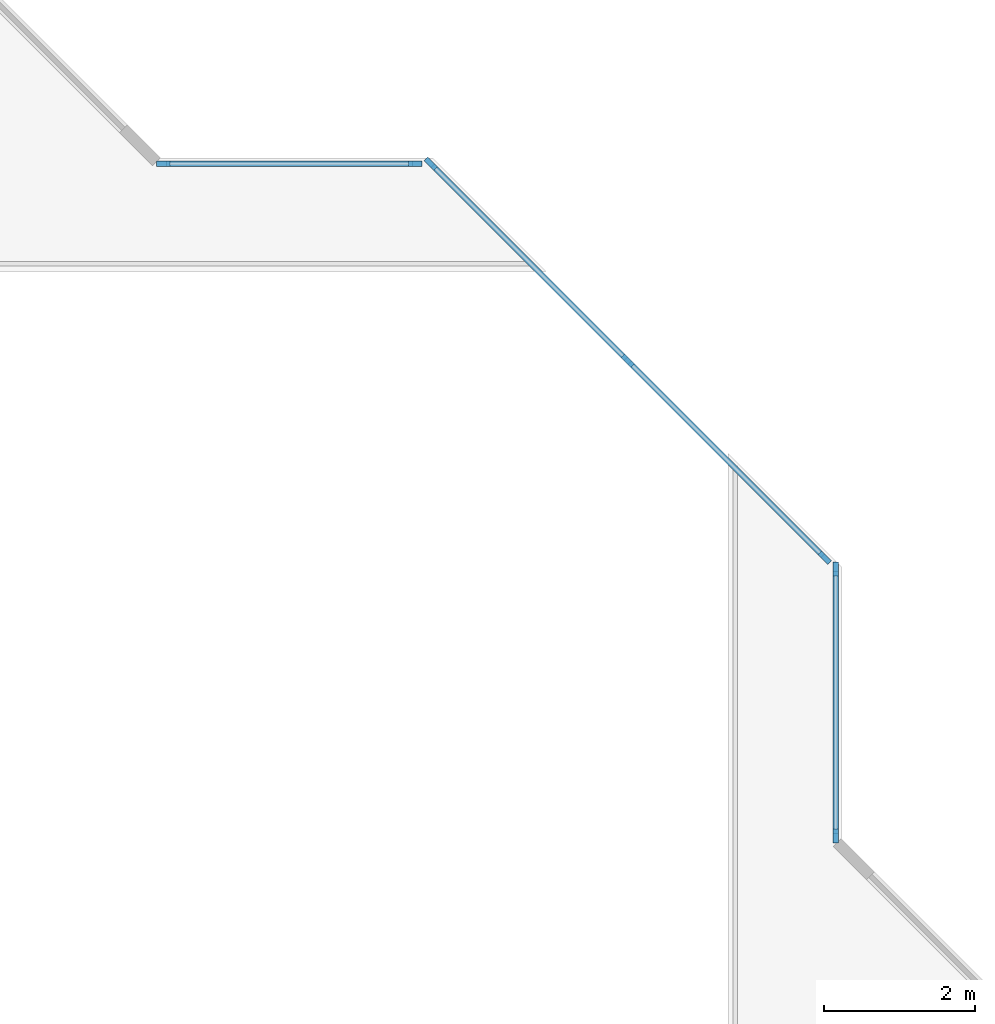
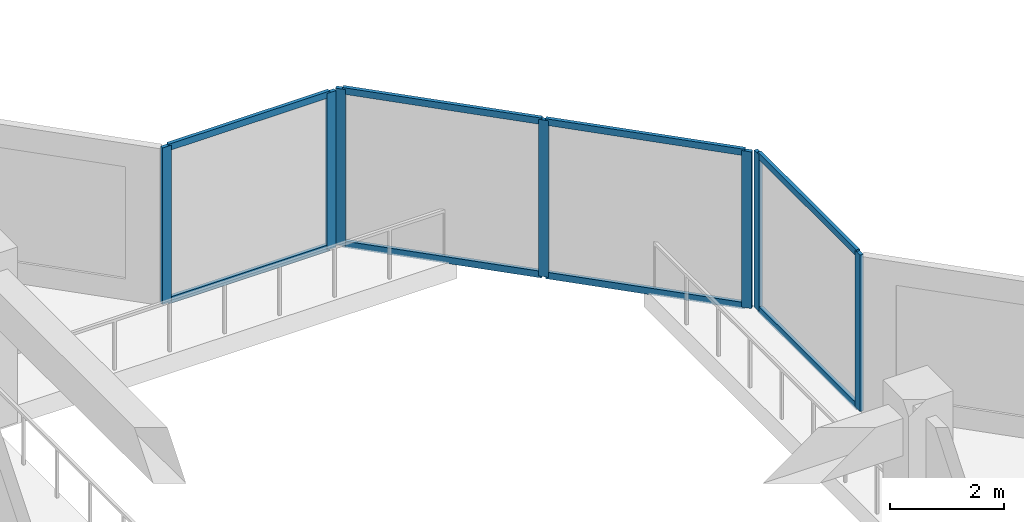
# One storey, part 2 of 15: 15 members, 3 elements without a shape of their own.
"""IFC4 building model written with IfcOpenShell, lengths in metres."""

from ifc_helpers import new_model, si_unit, direction, frame, origin, origin_2d, place, context, subcontext, project, spatial, rectangle, extrude, material, layer, layer_set, material_profile, profile_set, type_object, element, aggregate, save


model = new_model("IFC4")

# Units and contexts
model_context = context("Model", 3, precision=1e-05, world=origin(), true_north=direction((0.0, 1.0)))
body_context = subcontext(model_context, "Body", "Model", "MODEL_VIEW")
ifc_project = project(units=[si_unit("LENGTHUNIT", "METRE"), si_unit("AREAUNIT", "SQUARE_METRE"), si_unit("VOLUMEUNIT", "CUBIC_METRE"), si_unit("PLANEANGLEUNIT", "RADIAN"), si_unit("MASSUNIT", "GRAM", prefix="KILO")], contexts=[model_context])

# Site, building, storey
site_placement = place(None, origin())
site = spatial("IfcSite", under=ifc_project, at=site_placement, CompositionType="ELEMENT")
building_placement = place(site_placement, origin())
building = spatial("IfcBuilding", under=site, at=building_placement, Name="Chenar Terraces", CompositionType="ELEMENT")
storey_placement = place(building_placement, frame((0.0, 0.0, 198.64990234375)))
storey = spatial("IfcBuildingStorey", under=building, at=storey_placement, Name="L46", CompositionType="ELEMENT", Elevation=198.64990234375)

# Curtain wall, members
ifc_material_1 = material(Name="Aluminium framed glazing", Category="aluminium")
ifc_layer = layer(ifc_material_1, 0.14990234375)
ifc_layer_set = layer_set([ifc_layer], Name="Aluminium framed glazing")
curtain_wall_type = type_object("IfcCurtainWallType", Name="Atrium mid-zone curtain wall", PredefinedType="NOTDEFINED", material=ifc_layer_set)
placement = place(storey_placement, origin())
curtain_wall_1 = element("IfcCurtainWall", 1, at=placement, inside=storey, type_object=curtain_wall_type, Name="Atrium mid-zone curtain wall", PredefinedType="NOTDEFINED")
ifc_material_2 = material(Name="Aluminium", Category="aluminium")
ifc_material_profile_1 = material_profile(ifc_material_2, rectangle(XDim=0.070068359375, YDim=0.179931640625, at=origin_2d()), Name="Atrium mid-zone glazing mullion 70 x 180")
ifc_profile_set_1 = profile_set([ifc_material_profile_1], Name="Aluminium")
member_type_1 = type_object("IfcMemberType", Name="Atrium mid-zone glazing mullion 70 x 180", PredefinedType="MULLION", material=ifc_profile_set_1)
member_1_placement = place(storey_placement, frame((37.425048828125, 28.534912109375, 0.0), z_axis=(0.0, 0.0, 1.0), x_axis=(-1.0, 0.0, 0.0)))
member_1 = element("IfcMember", 2, at=member_1_placement, type_object=member_type_1, Name="CW7-1 mullion 1", PredefinedType="MULLION", context=body_context, shape_type="SweptSolid", body=[
    extrude(rectangle(XDim=0.070068359375, YDim=0.179931640625, at=origin_2d()), origin(), (0.0, 0.0, 1.0), 3.35009765625),
])
member_2_placement = place(storey_placement, frame((37.425048828125, 32.06494140625, 0.0), z_axis=(0.0, 0.0, 1.0), x_axis=(-1.0, 0.0, 0.0)))
member_2 = element("IfcMember", 3, at=member_2_placement, type_object=member_type_1, Name="CW7-1 mullion 2", PredefinedType="MULLION", context=body_context, shape_type="SweptSolid", body=[
    extrude(rectangle(XDim=0.070068359375, YDim=0.179931640625, at=origin_2d()), origin(), (0.0, 0.0, 1.0), 3.35009765625),
])

curtain_wall_2 = element("IfcCurtainWall", 4, at=placement, inside=storey, type_object=curtain_wall_type, Name="Atrium mid-zone curtain wall", PredefinedType="NOTDEFINED")
member_3_placement = place(storey_placement, frame((37.28076171875, 32.213134765625, 0.0), z_axis=(0.0, 0.0, 1.0), x_axis=(-0.707106781187, -0.707106781187, 0.0)))
member_3 = element("IfcMember", 5, at=member_3_placement, type_object=member_type_1, Name="CW7-2 mullion 1", PredefinedType="MULLION", context=body_context, shape_type="SweptSolid", body=[
    extrude(rectangle(XDim=0.070068359375, YDim=0.179931640625, at=origin_2d()), origin(), (0.0, 0.0, 1.0), 3.35009765625),
])
member_4_placement = place(storey_placement, frame((34.67626953125, 34.817626953125, 0.0), z_axis=(0.0, 0.0, 1.0), x_axis=(-0.707106781187, -0.707106781187, 0.0)))
member_4 = element("IfcMember", 6, at=member_4_placement, type_object=member_type_1, Name="CW7-2 mullion 2", PredefinedType="MULLION", context=body_context, shape_type="SweptSolid", body=[
    extrude(rectangle(XDim=0.070068359375, YDim=0.179931640625, at=origin_2d()), origin(), (0.0, 0.0, 1.0), 3.35009765625),
])
member_5_placement = place(storey_placement, frame((32.07177734375, 37.42236328125, 0.0), z_axis=(0.0, 0.0, 1.0), x_axis=(-0.707106781187, -0.707106781187, 0.0)))
member_5 = element("IfcMember", 7, at=member_5_placement, type_object=member_type_1, Name="CW7-2 mullion 3", PredefinedType="MULLION", context=body_context, shape_type="SweptSolid", body=[
    extrude(rectangle(XDim=0.070068359375, YDim=0.179931640625, at=origin_2d()), origin(), (0.0, 0.0, 1.0), 3.35009765625),
])

curtain_wall_3 = element("IfcCurtainWall", 8, at=placement, inside=storey, type_object=curtain_wall_type, Name="Atrium mid-zone curtain wall", PredefinedType="NOTDEFINED")
member_6_placement = place(storey_placement, frame((31.864990234375, 37.425048828125, 0.0), z_axis=(0.0, 0.0, 1.0), x_axis=(0.0, -1.0, 0.0)))
member_6 = element("IfcMember", 9, at=member_6_placement, type_object=member_type_1, Name="CW7-3 mullion 1", PredefinedType="MULLION", context=body_context, shape_type="SweptSolid", body=[
    extrude(rectangle(XDim=0.070068359375, YDim=0.179931640625, at=origin_2d()), origin(), (0.0, 0.0, 1.0), 3.35009765625),
])
member_7_placement = place(storey_placement, frame((28.534912109375, 37.425048828125, 0.0), z_axis=(0.0, 0.0, 1.0), x_axis=(0.0, -1.0, 0.0)))
member_7 = element("IfcMember", 10, at=member_7_placement, type_object=member_type_1, Name="CW7-3 mullion 2", PredefinedType="MULLION", context=body_context, shape_type="SweptSolid", body=[
    extrude(rectangle(XDim=0.070068359375, YDim=0.179931640625, at=origin_2d()), origin(), (0.0, 0.0, 1.0), 3.35009765625),
])

# Member
ifc_material_3 = material(Name="Aluminium", Category="aluminium")
ifc_material_profile_2 = material_profile(ifc_material_3, rectangle(XDim=0.070068359375, YDim=0.139892578125, at=origin_2d()), Name="Atrium mid-zone glazing transom 70 x 140")
ifc_profile_set_2 = profile_set([ifc_material_profile_2], Name="Aluminium")
member_type_2 = type_object("IfcMemberType", Name="Atrium mid-zone glazing transom 70 x 140", PredefinedType="USERDEFINED", material=ifc_profile_set_2)
member_8_placement = place(storey_placement, frame((37.425048828125, 28.570068359375, 0.03515625), z_axis=(0.0, 1.0, 0.0), x_axis=(-1.0, 0.0, 0.0)))
member_8 = element("IfcMember", 11, at=member_8_placement, type_object=member_type_2, Name="CW7-1 transom 1.1", ObjectType="TRANSOM", PredefinedType="USERDEFINED", context=body_context, shape_type="SweptSolid", body=[
    extrude(rectangle(XDim=0.070068359375, YDim=0.139892578125, at=origin_2d()), origin(), (0.0, 0.0, 1.0), 3.4599609375),
])

member_9_placement = place(storey_placement, frame((37.425048828125, 28.570068359375, 3.315185546875), z_axis=(0.0, 1.0, 0.0), x_axis=(-1.0, 0.0, 0.0)))
member_9 = element("IfcMember", 12, at=member_9_placement, type_object=member_type_2, Name="CW7-1 transom 1.2", ObjectType="TRANSOM", PredefinedType="USERDEFINED", context=body_context, shape_type="SweptSolid", body=[
    extrude(rectangle(XDim=0.070068359375, YDim=0.139892578125, at=origin_2d()), origin(), (0.0, 0.0, 1.0), 3.4599609375),
])

aggregate(curtain_wall_1, [member_1, member_2, member_8, member_9])

member_10_placement = place(storey_placement, frame((37.256103515625, 32.23779296875, 0.03515625), z_axis=(-0.707106781187, 0.707106781187, 0.0), x_axis=(-0.707106781187, -0.707106781187, 0.0)))
member_10 = element("IfcMember", 13, at=member_10_placement, type_object=member_type_2, Name="CW7-2 transom 1.1", ObjectType="TRANSOM", PredefinedType="USERDEFINED", context=body_context, shape_type="SweptSolid", body=[
    extrude(rectangle(XDim=0.070068359375, YDim=0.139892578125, at=origin_2d()), origin(), (0.0, 0.0, 1.0), 3.613525390625),
])

member_11_placement = place(storey_placement, frame((37.256103515625, 32.23779296875, 3.315185546875), z_axis=(-0.707106781187, 0.707106781187, 0.0), x_axis=(-0.707106781187, -0.707106781187, 0.0)))
member_11 = element("IfcMember", 14, at=member_11_placement, type_object=member_type_2, Name="CW7-2 transom 1.2", ObjectType="TRANSOM", PredefinedType="USERDEFINED", context=body_context, shape_type="SweptSolid", body=[
    extrude(rectangle(XDim=0.070068359375, YDim=0.139892578125, at=origin_2d()), origin(), (0.0, 0.0, 1.0), 3.613525390625),
])

member_12_placement = place(storey_placement, frame((34.651611328125, 34.842529296875, 0.03515625), z_axis=(-0.707140563131, 0.707072997628, 0.0), x_axis=(-0.707072997628, -0.707140563131, 0.0)))
member_12 = element("IfcMember", 15, at=member_12_placement, type_object=member_type_2, Name="CW7-2 transom 2.1", ObjectType="TRANSOM", PredefinedType="USERDEFINED", context=body_context, shape_type="SweptSolid", body=[
    extrude(rectangle(XDim=0.070068359375, YDim=0.139892578125, at=origin_2d()), origin(), (0.0, 0.0, 1.0), 3.61328125),
])

member_13_placement = place(storey_placement, frame((34.651611328125, 34.842529296875, 3.315185546875), z_axis=(-0.707140563131, 0.707072997628, 0.0), x_axis=(-0.707072997628, -0.707140563131, 0.0)))
member_13 = element("IfcMember", 16, at=member_13_placement, type_object=member_type_2, Name="CW7-2 transom 2.2", ObjectType="TRANSOM", PredefinedType="USERDEFINED", context=body_context, shape_type="SweptSolid", body=[
    extrude(rectangle(XDim=0.070068359375, YDim=0.139892578125, at=origin_2d()), origin(), (0.0, 0.0, 1.0), 3.61328125),
])

aggregate(curtain_wall_2, [member_3, member_4, member_5, member_10, member_11, member_12, member_13])

member_14_placement = place(storey_placement, frame((31.830078125, 37.425048828125, 0.03515625), z_axis=(-1.0, 0.0, 0.0), x_axis=(0.0, -1.0, 0.0)))
member_14 = element("IfcMember", 17, at=member_14_placement, type_object=member_type_2, Name="CW7-3 transom 1.1", ObjectType="TRANSOM", PredefinedType="USERDEFINED", context=body_context, shape_type="SweptSolid", body=[
    extrude(rectangle(XDim=0.070068359375, YDim=0.139892578125, at=origin_2d()), origin(), (0.0, 0.0, 1.0), 3.260009765625),
])

member_15_placement = place(storey_placement, frame((31.830078125, 37.425048828125, 3.315185546875), z_axis=(-1.0, 0.0, 0.0), x_axis=(0.0, -1.0, 0.0)))
member_15 = element("IfcMember", 18, at=member_15_placement, type_object=member_type_2, Name="CW7-3 transom 1.2", ObjectType="TRANSOM", PredefinedType="USERDEFINED", context=body_context, shape_type="SweptSolid", body=[
    extrude(rectangle(XDim=0.070068359375, YDim=0.139892578125, at=origin_2d()), origin(), (0.0, 0.0, 1.0), 3.260009765625),
])

aggregate(curtain_wall_3, [member_6, member_7, member_14, member_15])

save(model, "model.ifc")
